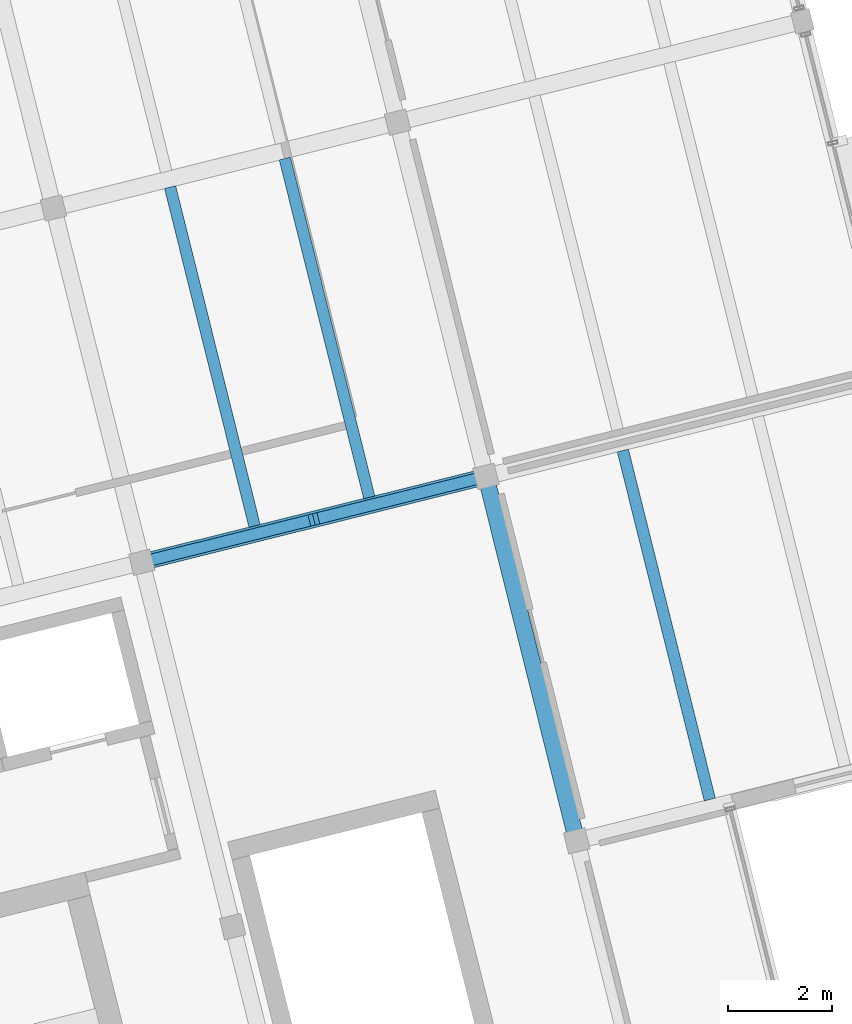
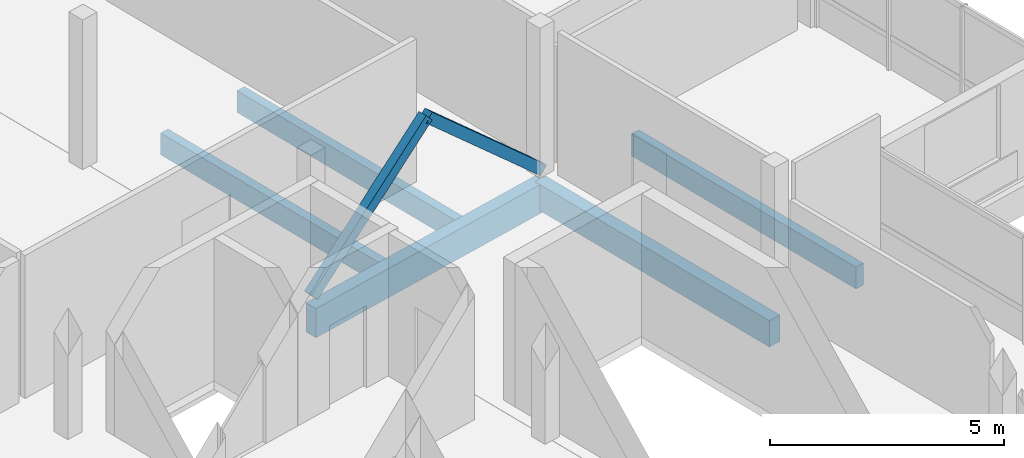
# One storey, part 15 of 28: 5 beams, 2 members.
"""IFC4 building model written with IfcOpenShell, lengths in metres."""

import ifcopenshell
import ifcopenshell.guid

model = None  # the IFC model being written
_history = None  # IfcOwnerHistory: only IFC2X3 demands one
_inside = {}  # id of a spatial element -> (the spatial element, [elements in it])
_under = {}  # id of a project, library or spatial element -> (it, [spatial elements below it])
_declared = {}  # id of a project -> (the project, [libraries it declares])
_typed = {}  # id of a type object -> (the type object, [elements of that type])
_made_of = {}  # id of a material, layer set ... -> (it, [elements and type objects made of it])


def new_model(schema):
    """Start an empty IFC model of exactly this schema.

    Asked for "IFC4X3", IfcOpenShell would pick the latest addendum, in which some entities
    have other attributes; the version numbers below select the first issue.
    IFC2X3 requires an IfcOwnerHistory on every rooted entity: one is made here for all.
    """
    global model, _history
    if schema == "IFC4X3":
        model = ifcopenshell.file(schema_version=(4, 3, 0, 0))
    else:
        model = ifcopenshell.file(schema=schema)
    _inside.clear()
    _under.clear()
    _declared.clear()
    _typed.clear()
    _made_of.clear()
    _history = None
    if model.schema == "IFC2X3":
        org = make("IfcOrganization", Name="unknown")
        user = make(
            "IfcPersonAndOrganization",
            ThePerson=make("IfcPerson", FamilyName="unknown"),
            TheOrganization=org,
        )
        app = make(
            "IfcApplication",
            ApplicationDeveloper=org,
            Version="unknown",
            ApplicationFullName="unknown",
            ApplicationIdentifier="unknown",
        )
        _history = make(
            "IfcOwnerHistory",
            OwningUser=user,
            OwningApplication=app,
            ChangeAction="ADDED",
            CreationDate=0,
        )
    return model


def make(cls, **values):
    """One entity of the class cls with the attributes given. An attribute that is None is left unset."""
    return model.create_entity(
        cls, **{name: value for name, value in values.items() if value is not None}
    )


def rooted(cls, **values):
    """An entity with a GlobalId (a new one), such as an element, a storey or a relation."""
    return make(cls, GlobalId=ifcopenshell.guid.new(), OwnerHistory=_history, **values)


def si_unit(unit_type, name, prefix=None):
    """IfcSIUnit, for example si_unit("LENGTHUNIT", "METRE", prefix="MILLI")."""
    return make("IfcSIUnit", UnitType=unit_type, Prefix=prefix, Name=name)


def assignment(units):
    """IfcUnitAssignment: the units of a project."""
    return None if units is None else make("IfcUnitAssignment", Units=units)


def point(xyz):
    """IfcCartesianPoint."""
    return None if xyz is None else make("IfcCartesianPoint", Coordinates=xyz)


def direction(xyz):
    """IfcDirection."""
    return None if xyz is None else make("IfcDirection", DirectionRatios=xyz)


def frame(location, z_axis=None, x_axis=None):
    """IfcAxis2Placement3D, a coordinate frame: its origin and axes. An axis left out is left unset."""
    return make(
        "IfcAxis2Placement3D",
        Location=point(location),
        Axis=direction(z_axis),
        RefDirection=direction(x_axis),
    )


def frame_2d(location, x_axis=None):
    """IfcAxis2Placement2D, a coordinate frame in the plane: its origin and x axis."""
    return make(
        "IfcAxis2Placement2D", Location=point(location), RefDirection=direction(x_axis)
    )


def origin():
    """The frame at (0, 0, 0) with its axes left unset."""
    return frame((0.0, 0.0, 0.0))


def origin_2d():
    """The frame at (0, 0) in the plane with its x axis left unset."""
    return frame_2d((0.0, 0.0))


def place(relative_to, where):
    """IfcLocalPlacement: puts the frame where relative to a parent placement (None: the world)."""
    return make(
        "IfcLocalPlacement", PlacementRelTo=relative_to, RelativePlacement=where
    )


def context(
    kind, dimensions, precision=None, world=None, true_north=None, identifier=None
):
    """IfcGeometricRepresentationContext, for example the 3D "Model" context."""
    return make(
        "IfcGeometricRepresentationContext",
        ContextIdentifier=identifier,
        ContextType=kind,
        CoordinateSpaceDimension=dimensions,
        Precision=precision,
        WorldCoordinateSystem=world,
        TrueNorth=true_north,
    )


def subcontext(parent, identifier, kind, view, scale=None):
    """IfcGeometricRepresentationSubContext, for example "Body" below "Model"."""
    return make(
        "IfcGeometricRepresentationSubContext",
        ContextIdentifier=identifier,
        ContextType=kind,
        ParentContext=parent,
        TargetScale=scale,
        TargetView=view,
    )


def project(units=None, contexts=None):
    """IfcProject with its units and contexts."""
    return rooted(
        "IfcProject",
        Name="project",
        RepresentationContexts=contexts,
        UnitsInContext=assignment(units),
    )


def spatial(cls, under=None, at=None, **own):
    """A site, building, storey or space (cls), placed at a placement, below another one or the project."""
    s = rooted(cls, ObjectPlacement=at, **own)
    if under is not None:
        _under.setdefault(under.id(), (under, []))[1].append(s)
    return s


def profile(cls, at=None, kind="AREA", **sizes):
    """A parametric profile (cls). Its sizes go by their IFC names, for example OverallWidth=200.0."""
    return make(cls, ProfileType=kind, Position=at, **sizes)


def rectangle(**sizes):
    """IfcRectangleProfileDef."""
    return profile("IfcRectangleProfileDef", **sizes)


def extrude(swept, where, along, depth):
    """IfcExtrudedAreaSolid: the profile swept, set in the frame where, extruded along a direction by depth."""
    return make(
        "IfcExtrudedAreaSolid",
        SweptArea=swept,
        Position=where,
        ExtrudedDirection=direction(along),
        Depth=depth,
    )


def shape(context_of_items, identifier, shape_type, items):
    """IfcShapeRepresentation: the items that make up one representation, for example the "Body"."""
    return make(
        "IfcShapeRepresentation",
        ContextOfItems=context_of_items,
        RepresentationIdentifier=identifier,
        RepresentationType=shape_type,
        Items=items,
    )


def material(Name=None, Category=None):
    """IfcMaterial."""
    return make("IfcMaterial", Name=Name, Category=Category)


def material_profile(
    of_material, cross_section, Name=None, Category=None, Priority=None
):
    """IfcMaterialProfile: a cross section and its material."""
    return make(
        "IfcMaterialProfile",
        Name=Name,
        Material=of_material,
        Profile=cross_section,
        Priority=Priority,
        Category=Category,
    )


def profile_set(profiles, Name=None, composite=None):
    """IfcMaterialProfileSet."""
    return make(
        "IfcMaterialProfileSet",
        Name=Name,
        MaterialProfiles=profiles,
        CompositeProfile=composite,
    )


def made_of(thing, what):
    """Note that an element or type object is made of a material, layer set ...; save() writes the relation."""
    if what is not None:
        _made_of.setdefault(what.id(), (what, []))[1].append(thing)
    return thing


def type_object(cls, material=None, **own):
    """A type object (cls), such as IfcWallType, which elements share."""
    return made_of(rooted(cls, **own), material)


def element(
    cls,
    number,
    at=None,
    inside=None,
    cuts=None,
    type_object=None,
    material=None,
    context=None,
    identifier="Body",
    shape_type=None,
    held_by="IfcProductDefinitionShape",
    body=None,
    shapes=None,
    **own,
):
    """One element of the class cls, such as IfcWall. Its Tag is "e" and its number.

    at: its placement. inside: the storey or other place that contains it. cuts: it is an
    opening in that element (IfcRelVoidsElement). A single representation is given by context,
    identifier, shape_type and body (its items); several are given by shapes. held_by: the class
    of the entity that holds the representations. save() writes the other relations.
    """
    e = rooted(cls, Tag="e%d" % number, ObjectPlacement=at, **own)
    if body is not None:
        shapes = [shape(context, identifier, shape_type, body)]
    if shapes is not None:
        e.Representation = make(held_by, Representations=shapes)
    if inside is not None:
        _inside.setdefault(inside.id(), (inside, []))[1].append(e)
    if cuts is not None:
        rooted(
            "IfcRelVoidsElement", RelatingBuildingElement=cuts, RelatedOpeningElement=e
        )
    if type_object is not None:
        _typed.setdefault(type_object.id(), (type_object, []))[1].append(e)
    return made_of(e, material)


def aggregate(whole, parts):
    """IfcRelAggregates: a whole, such as a stair, and the parts it consists of."""
    return rooted("IfcRelAggregates", RelatingObject=whole, RelatedObjects=parts)


def save(model, path):
    """Write the relations noted so far, then the file.

    IfcRelAggregates (storeys below a building ...), IfcRelContainedInSpatialStructure (elements
    in a storey), IfcRelDefinesByType, IfcRelAssociatesMaterial and IfcRelDeclares: one each for
    every whole, place, type object, material and project.
    """
    for whole, parts in _under.values():
        aggregate(whole, parts)
    for where, things in _inside.values():
        rooted(
            "IfcRelContainedInSpatialStructure",
            RelatedElements=things,
            RelatingStructure=where,
        )
    for kind, things in _typed.values():
        rooted("IfcRelDefinesByType", RelatedObjects=things, RelatingType=kind)
    for what, things in _made_of.values():
        rooted("IfcRelAssociatesMaterial", RelatedObjects=things, RelatingMaterial=what)
    for by, libraries in _declared.values():
        rooted("IfcRelDeclares", RelatingContext=by, RelatedDefinitions=libraries)
    model.write(path)


model = new_model("IFC4")

# Units and contexts
model_context = context("Model", 3, precision=1e-05, world=origin(), true_north=direction((0.0, 1.0)))
body_context = subcontext(model_context, "Body", "Model", "MODEL_VIEW")
ifc_project = project(units=[si_unit("LENGTHUNIT", "METRE"), si_unit("AREAUNIT", "SQUARE_METRE"), si_unit("VOLUMEUNIT", "CUBIC_METRE"), si_unit("PLANEANGLEUNIT", "RADIAN"), si_unit("MASSUNIT", "GRAM", prefix="KILO")], contexts=[model_context])

# Site, building, storey
site_placement = place(None, origin())
site = spatial("IfcSite", under=ifc_project, at=site_placement, CompositionType="ELEMENT")
building_placement = place(site_placement, origin())
building = spatial("IfcBuilding", under=site, at=building_placement, Name="Meriwether Solvik Hall", CompositionType="ELEMENT")
storey_placement = place(building_placement, frame((0.0, 0.0, 30.0)))
storey = spatial("IfcBuildingStorey", under=building, at=storey_placement, Name="L07", CompositionType="ELEMENT", Elevation=30.0)

# Beams
ifc_material_1 = material(Name="Glulam Douglas-Fir 24F-V8 GL28h", Category="wood")
ifc_material_profile_1 = material_profile(ifc_material_1, rectangle(XDim=0.31494140625, YDim=0.68505859375, at=origin_2d()), Name="GLB-315X685")
ifc_profile_set_1 = profile_set([ifc_material_profile_1], Name="Glulam Douglas-Fir 24F-V8 GL28h")
beam_type_1 = type_object("IfcBeamType", Name="BM-GL-315X685", PredefinedType="BEAM", material=ifc_profile_set_1)
beam_1_placement = place(storey_placement, frame((100.192138671875, 63.29931640625, -0.5625), z_axis=(-0.241937193493, 0.970291911955, 0.0), x_axis=(-0.970291911955, -0.241937193493, 0.0)))
element("IfcBeam", 1, at=beam_1_placement, inside=storey, type_object=beam_type_1, Name="Tower Girder T6:TC-TD (L07)", PredefinedType="BEAM", context=body_context, shape_type="SweptSolid", body=[
    extrude(rectangle(XDim=0.31494140625, YDim=0.68505859375, at=origin_2d()), origin(), (0.0, 0.0, 1.0), 7.199951171875),
])
ifc_material_2 = material(Name="Glulam Douglas-Fir 24F-V8 GL28h", Category="wood")
ifc_material_profile_2 = material_profile(ifc_material_2, rectangle(XDim=0.31494140625, YDim=0.760009765625, at=origin_2d()), Name="GLB-315X760")
ifc_profile_set_2 = profile_set([ifc_material_profile_2], Name="Glulam Douglas-Fir 24F-V8 GL28h")
beam_type_2 = type_object("IfcBeamType", Name="BM-GL-315X760", PredefinedType="BEAM", material=ifc_profile_set_2)
beam_2_placement = place(storey_placement, frame((91.852294921875, 68.640380859375, -0.60009765625), z_axis=(0.970296478685, 0.241918877831, 0.0), x_axis=(-0.241918877831, 0.970296478685, 0.0)))
element("IfcBeam", 2, at=beam_2_placement, inside=storey, type_object=beam_type_2, Name="Tower Girder TD:T5-T6 (L07)", PredefinedType="BEAM", context=body_context, shape_type="SweptSolid", body=[
    extrude(rectangle(XDim=0.31494140625, YDim=0.760009765625, at=origin_2d()), origin(), (0.0, 0.0, 1.0), 6.7998046875),
])
ifc_material_3 = material(Name="Glulam Douglas-Fir 24F-V8 GL28h", Category="wood")
ifc_material_profile_3 = material_profile(ifc_material_3, rectangle(XDim=0.221923828125, YDim=0.570068359375, at=origin_2d()), Name="GLJ-222X570")
ifc_profile_set_3 = profile_set([ifc_material_profile_3], Name="Glulam Douglas-Fir 24F-V8 GL28h")
beam_type_3 = type_object("IfcBeamType", Name="JST-GL-222X570", PredefinedType="JOIST", material=ifc_profile_set_3)
for number, where, z_axis, x_axis, name in (
    (3, (94.0146484375, 69.336669921875, -0.5048828125), (-0.241917792922, 0.970296749179, 0.0), (-0.970296749179, -0.241917792922, 0.0), "Glulam Floor Joist T5/TD-J1 (L07)"),
    (4, (96.214111328125, 69.885009765625, -0.5048828125), (-0.241952124656, 0.970288188825, 0.0), (-0.970288188825, -0.241952124656, 0.0), "Glulam Floor Joist T5/TD-J2 (L07)"),
):
    element("IfcBeam", number, at=place(storey_placement, frame(where, z_axis=z_axis, x_axis=x_axis)), inside=storey, type_object=beam_type_3, Name=name, PredefinedType="JOIST", context=body_context, shape_type="SweptSolid", body=[
        extrude(rectangle(XDim=0.221923828125, YDim=0.570068359375, at=origin_2d()), origin(), (0.0, 0.0, 1.0), 6.695068359375),
    ])
beam_3_placement = place(storey_placement, frame((102.74267578125, 64.09228515625, -0.5048828125), z_axis=(-0.241910719241, 0.970298512787, 0.0), x_axis=(-0.970298512787, -0.241910719241, 0.0)))
element("IfcBeam", 5, at=beam_3_placement, inside=storey, type_object=beam_type_3, Name="Glulam Floor Joist T6/TC-J1 (L07)", PredefinedType="JOIST", context=body_context, shape_type="SweptSolid", body=[
    extrude(rectangle(XDim=0.221923828125, YDim=0.570068359375, at=origin_2d()), origin(), (0.0, 0.0, 1.0), 6.89501953125),
])

# Members
ifc_material_4 = material(Name="Glulam Douglas-Fir 24F-V8 GL28h", Category="wood")
ifc_material_profile_4 = material_profile(ifc_material_4, rectangle(XDim=0.221923828125, YDim=0.26708984375, at=origin_2d()), Name="GLM-222X267")
ifc_profile_set_4 = profile_set([ifc_material_profile_4], Name="Glulam Douglas-Fir 24F-V8 GL28h")
member_type = type_object("IfcMemberType", Name="MEM-BR-GL222", PredefinedType="BRACE", material=ifc_profile_set_4)
for number, where, z_axis, x_axis, name in (
    (6, (91.852294921875, 68.640380859375, 0.050048828125), (0.724931924359, 0.180736746331, 0.664686342248), (-0.24191045034, 0.970298579828, 0.0), "Tower Chevron Brace L07-B4A"),
    (7, (98.4501953125, 70.285400390625, 0.050048828125), (-0.724906468782, -0.180743775409, 0.664712192733), (0.241927305891, -0.970294377323, 0.0), "Tower Chevron Brace L07-B4B"),
):
    element("IfcMember", number, at=place(storey_placement, frame(where, z_axis=z_axis, x_axis=x_axis)), inside=storey, type_object=member_type, Name=name, PredefinedType="BRACE", context=body_context, shape_type="SweptSolid", body=[
        extrude(rectangle(XDim=0.221923828125, YDim=0.26708984375, at=origin_2d()), origin(), (0.0, 0.0, 1.0), 4.55078125),
    ])

save(model, "model.ifc")
